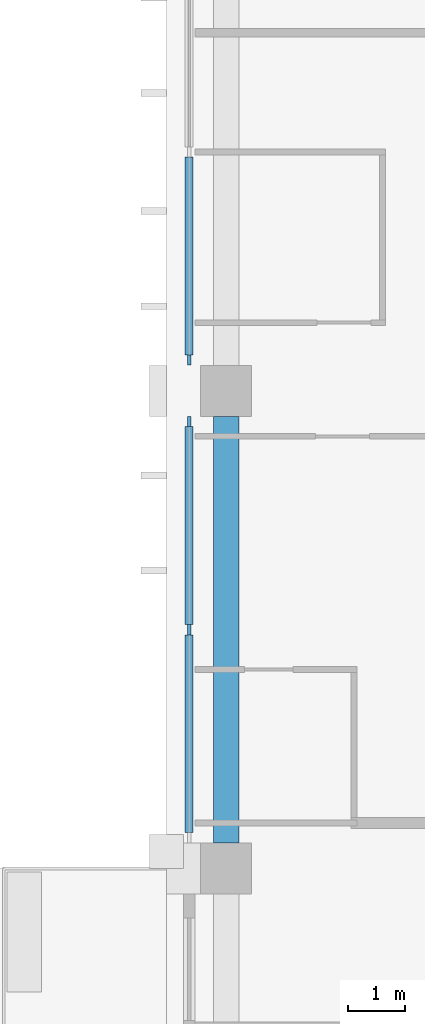
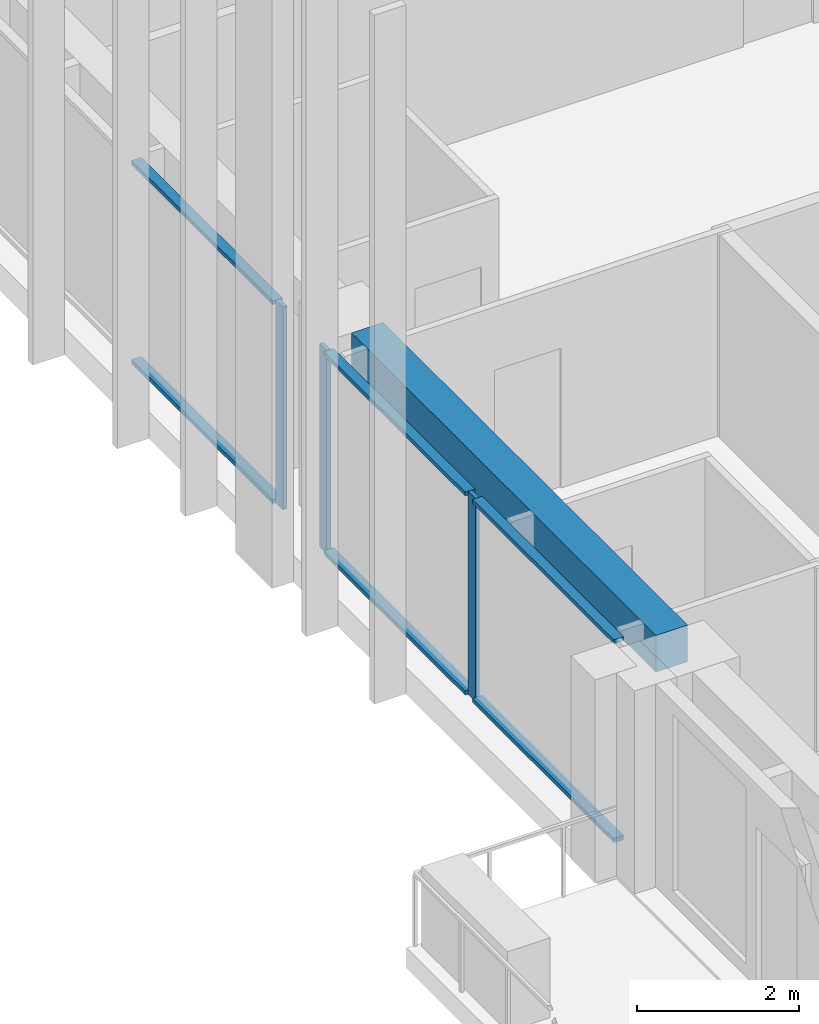
# One storey, part 3 of 20: 9 members, 1 beam, 2 elements without a shape of their own.
"""IFC4 building model written with IfcOpenShell, lengths in metres."""

from ifc_helpers import new_model, si_unit, direction, frame, origin, origin_2d, place, context, subcontext, project, spatial, rectangle, extrude, material, material_profile, profile_set, type_object, element, aggregate, save


model = new_model("IFC4")

# Units and contexts
model_context = context("Model", 3, precision=1e-05, world=origin(), true_north=direction((0.0, 1.0)))
body_context = subcontext(model_context, "Body", "Model", "MODEL_VIEW")
ifc_project = project(units=[si_unit("LENGTHUNIT", "METRE"), si_unit("AREAUNIT", "SQUARE_METRE"), si_unit("VOLUMEUNIT", "CUBIC_METRE"), si_unit("PLANEANGLEUNIT", "RADIAN"), si_unit("MASSUNIT", "GRAM", prefix="KILO")], contexts=[model_context])

# Site, building, storey
site_placement = place(None, origin())
site = spatial("IfcSite", under=ifc_project, at=site_placement, CompositionType="ELEMENT")
building_placement = place(site_placement, origin())
building = spatial("IfcBuilding", under=site, at=building_placement, Name="Vermilion Ogive Tower", CompositionType="ELEMENT")
storey_placement = place(building_placement, frame((0.0, 0.0, 223.449951171875)))
storey = spatial("IfcBuildingStorey", under=building, at=storey_placement, Name="L58", CompositionType="ELEMENT", Elevation=223.449951171875)

# Curtain wall, member
ifc_material_1 = material(Name="Low-iron laminated glazing in aluminium frame", Category="aluminium")
curtain_wall_type = type_object("IfcCurtainWallType", Name="Curtain wall CW7", PredefinedType="NOTDEFINED", material=ifc_material_1)
curtain_wall_1_placement = place(storey_placement, origin())
curtain_wall_1 = element("IfcCurtainWall", 1, at=curtain_wall_1_placement, inside=storey, type_object=curtain_wall_type, Name="Glazed skin W1", PredefinedType="NOTDEFINED")
ifc_material_2 = material(Name="Aluminium mullion", Category="aluminium")
ifc_material_profile_1 = material_profile(ifc_material_2, rectangle(XDim=0.06005859375, YDim=0.179931640625, at=origin_2d()), Name="AL 60x180")
ifc_profile_set_1 = profile_set([ifc_material_profile_1], Name="Aluminium mullion")
member_type_1 = type_object("IfcMemberType", Name="CW7 mullion 60x180", PredefinedType="MULLION", material=ifc_profile_set_1)
member_1_placement = place(storey_placement, frame((-25.85009765625, 4.739990234375, 0.0), z_axis=(0.0, 0.0, 1.0), x_axis=(1.0, 0.0, 0.0)))
member_1 = element("IfcMember", 2, at=member_1_placement, type_object=member_type_1, Name="CW7-W1 mullion 3", PredefinedType="MULLION", context=body_context, shape_type="SweptSolid", body=[
    extrude(rectangle(XDim=0.06005859375, YDim=0.179931640625, at=origin_2d()), origin(), (0.0, 0.0, 1.0), 3.050048828125),
])

# Curtain wall, members
curtain_wall_2_placement = place(storey_placement, origin())
curtain_wall_2 = element("IfcCurtainWall", 3, at=curtain_wall_2_placement, inside=storey, type_object=curtain_wall_type, Name="Glazed skin W2", PredefinedType="NOTDEFINED")
member_2_placement = place(storey_placement, frame((-25.85009765625, 3.659912109375, 0.0), z_axis=(0.0, 0.0, 1.0), x_axis=(1.0, 0.0, 0.0)))
member_2 = element("IfcMember", 4, at=member_2_placement, type_object=member_type_1, Name="CW7-W2 mullion 1", PredefinedType="MULLION", context=body_context, shape_type="SweptSolid", body=[
    extrude(rectangle(XDim=0.06005859375, YDim=0.179931640625, at=origin_2d()), origin(), (0.0, 0.0, 1.0), 3.050048828125),
])
member_3_placement = place(storey_placement, frame((-25.85009765625, 0.0, 0.0), z_axis=(0.0, 0.0, 1.0), x_axis=(1.0, 0.0, 0.0)))
member_3 = element("IfcMember", 5, at=member_3_placement, type_object=member_type_1, Name="CW7-W2 mullion 2", PredefinedType="MULLION", context=body_context, shape_type="SweptSolid", body=[
    extrude(rectangle(XDim=0.06005859375, YDim=0.179931640625, at=origin_2d()), origin(), (0.0, 0.0, 1.0), 3.050048828125),
])

# Member
ifc_material_3 = material(Name="Aluminium transom", Category="aluminium")
ifc_material_profile_2 = material_profile(ifc_material_3, rectangle(XDim=0.139892578125, YDim=0.06005859375, at=origin_2d()), Name="AL 60x140")
ifc_profile_set_2 = profile_set([ifc_material_profile_2], Name="Aluminium transom")
member_type_2 = type_object("IfcMemberType", Name="CW7 transom 60x140", PredefinedType="USERDEFINED", material=ifc_profile_set_2)
member_4_placement = place(storey_placement, frame((-25.85009765625, 8.31005859375, 0.030029296875), z_axis=(0.0, -1.0, 0.0), x_axis=(1.0, 0.0, 0.0)))
member_4 = element("IfcMember", 6, at=member_4_placement, type_object=member_type_2, Name="CW7-W1 transom 2.1", ObjectType="TRANSOM", PredefinedType="USERDEFINED", context=body_context, shape_type="SweptSolid", body=[
    extrude(rectangle(XDim=0.139892578125, YDim=0.06005859375, at=origin_2d()), origin(), (0.0, 0.0, 1.0), 3.47998046875),
])

member_5_placement = place(storey_placement, frame((-25.85009765625, 8.31005859375, 3.02001953125), z_axis=(0.0, -1.0, 0.0), x_axis=(1.0, 0.0, 0.0)))
member_5 = element("IfcMember", 7, at=member_5_placement, type_object=member_type_2, Name="CW7-W1 transom 2.2", ObjectType="TRANSOM", PredefinedType="USERDEFINED", context=body_context, shape_type="SweptSolid", body=[
    extrude(rectangle(XDim=0.139892578125, YDim=0.06005859375, at=origin_2d()), origin(), (0.0, 0.0, 1.0), 3.47998046875),
])

aggregate(curtain_wall_1, [member_1, member_4, member_5])

member_6_placement = place(storey_placement, frame((-25.85009765625, 3.570068359375, 0.030029296875), z_axis=(0.0, -1.0, 0.0), x_axis=(1.0, 0.0, 0.0)))
member_6 = element("IfcMember", 8, at=member_6_placement, type_object=member_type_2, Name="CW7-W2 transom 1.1", ObjectType="TRANSOM", PredefinedType="USERDEFINED", context=body_context, shape_type="SweptSolid", body=[
    extrude(rectangle(XDim=0.139892578125, YDim=0.06005859375, at=origin_2d()), origin(), (0.0, 0.0, 1.0), 3.47998046875),
])

member_7_placement = place(storey_placement, frame((-25.85009765625, 3.570068359375, 3.02001953125), z_axis=(0.0, -1.0, 0.0), x_axis=(1.0, 0.0, 0.0)))
member_7 = element("IfcMember", 9, at=member_7_placement, type_object=member_type_2, Name="CW7-W2 transom 1.2", ObjectType="TRANSOM", PredefinedType="USERDEFINED", context=body_context, shape_type="SweptSolid", body=[
    extrude(rectangle(XDim=0.139892578125, YDim=0.06005859375, at=origin_2d()), origin(), (0.0, 0.0, 1.0), 3.47998046875),
])

member_8_placement = place(storey_placement, frame((-25.85009765625, -0.090087890625, 0.030029296875), z_axis=(0.0, -1.0, 0.0), x_axis=(1.0, 0.0, 0.0)))
member_8 = element("IfcMember", 10, at=member_8_placement, type_object=member_type_2, Name="CW7-W2 transom 2.1", ObjectType="TRANSOM", PredefinedType="USERDEFINED", context=body_context, shape_type="SweptSolid", body=[
    extrude(rectangle(XDim=0.139892578125, YDim=0.06005859375, at=origin_2d()), origin(), (0.0, 0.0, 1.0), 3.47998046875),
])

member_9_placement = place(storey_placement, frame((-25.85009765625, -0.090087890625, 3.02001953125), z_axis=(0.0, -1.0, 0.0), x_axis=(1.0, 0.0, 0.0)))
member_9 = element("IfcMember", 11, at=member_9_placement, type_object=member_type_2, Name="CW7-W2 transom 2.2", ObjectType="TRANSOM", PredefinedType="USERDEFINED", context=body_context, shape_type="SweptSolid", body=[
    extrude(rectangle(XDim=0.139892578125, YDim=0.06005859375, at=origin_2d()), origin(), (0.0, 0.0, 1.0), 3.47998046875),
])

aggregate(curtain_wall_2, [member_2, member_3, member_6, member_7, member_8, member_9])

# Beam
ifc_material_4 = material(Name="Concrete B45", Category="concrete")
ifc_material_profile_3 = material_profile(ifc_material_4, rectangle(XDim=0.449951171875, YDim=0.550048828125, at=origin_2d()), Name="450 x 550")
ifc_profile_set_3 = profile_set([ifc_material_profile_3], Name="Concrete B45")
beam_type = type_object("IfcBeamType", Name="Edge beam 450 x 550 B45", PredefinedType="BEAM", material=ifc_profile_set_3)
beam_placement = place(storey_placement, frame((-25.199951171875, 3.75, 2.775146484375), z_axis=(0.0, -1.0, 0.0), x_axis=(1.0, 0.0, 0.0)))
element("IfcBeam", 12, at=beam_placement, inside=storey, type_object=beam_type, Name="L58-EB-15", PredefinedType="BEAM", context=body_context, shape_type="SweptSolid", body=[
    extrude(rectangle(XDim=0.449951171875, YDim=0.550048828125, at=origin_2d()), origin(), (0.0, 0.0, 1.0), 7.5),
])

save(model, "model.ifc")
